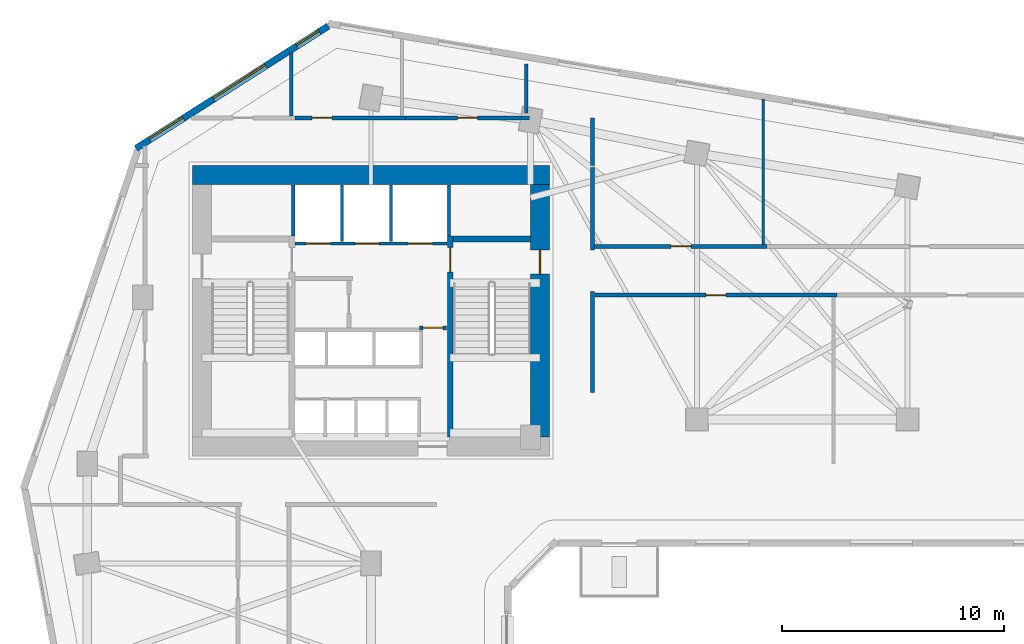
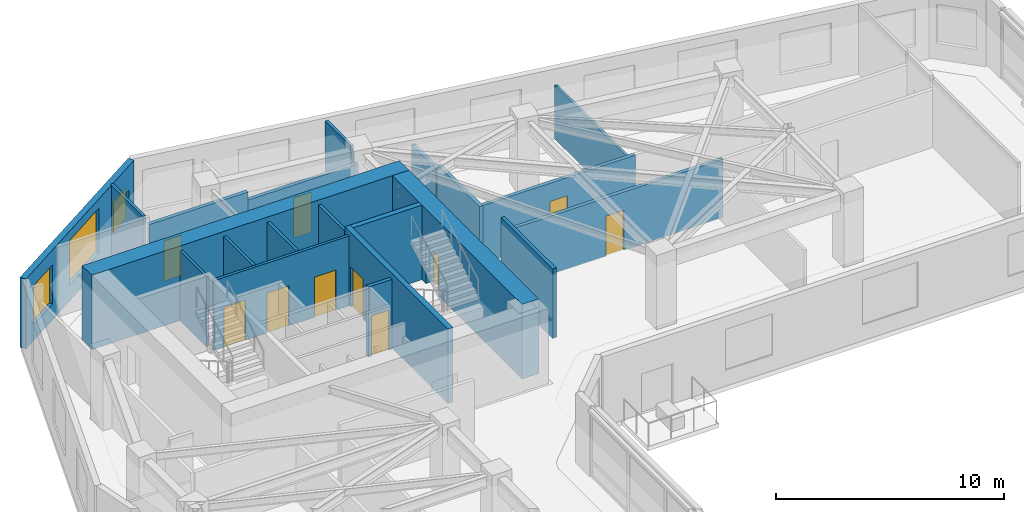
# One storey, part 8 of 12: 21 walls, 10 doors, 3 windows, 13 openings.
"""IFC4 building model written with IfcOpenShell, lengths in metres."""

import ifcopenshell
import ifcopenshell.guid

model = None  # the IFC model being written
_history = None  # IfcOwnerHistory: only IFC2X3 demands one
_inside = {}  # id of a spatial element -> (the spatial element, [elements in it])
_under = {}  # id of a project, library or spatial element -> (it, [spatial elements below it])
_declared = {}  # id of a project -> (the project, [libraries it declares])
_typed = {}  # id of a type object -> (the type object, [elements of that type])
_made_of = {}  # id of a material, layer set ... -> (it, [elements and type objects made of it])


def new_model(schema):
    """Start an empty IFC model of exactly this schema.

    Asked for "IFC4X3", IfcOpenShell would pick the latest addendum, in which some entities
    have other attributes; the version numbers below select the first issue.
    IFC2X3 requires an IfcOwnerHistory on every rooted entity: one is made here for all.
    """
    global model, _history
    if schema == "IFC4X3":
        model = ifcopenshell.file(schema_version=(4, 3, 0, 0))
    else:
        model = ifcopenshell.file(schema=schema)
    _inside.clear()
    _under.clear()
    _declared.clear()
    _typed.clear()
    _made_of.clear()
    _history = None
    if model.schema == "IFC2X3":
        org = make("IfcOrganization", Name="unknown")
        user = make(
            "IfcPersonAndOrganization",
            ThePerson=make("IfcPerson", FamilyName="unknown"),
            TheOrganization=org,
        )
        app = make(
            "IfcApplication",
            ApplicationDeveloper=org,
            Version="unknown",
            ApplicationFullName="unknown",
            ApplicationIdentifier="unknown",
        )
        _history = make(
            "IfcOwnerHistory",
            OwningUser=user,
            OwningApplication=app,
            ChangeAction="ADDED",
            CreationDate=0,
        )
    return model


def make(cls, **values):
    """One entity of the class cls with the attributes given. An attribute that is None is left unset."""
    return model.create_entity(
        cls, **{name: value for name, value in values.items() if value is not None}
    )


def rooted(cls, **values):
    """An entity with a GlobalId (a new one), such as an element, a storey or a relation."""
    return make(cls, GlobalId=ifcopenshell.guid.new(), OwnerHistory=_history, **values)


def si_unit(unit_type, name, prefix=None):
    """IfcSIUnit, for example si_unit("LENGTHUNIT", "METRE", prefix="MILLI")."""
    return make("IfcSIUnit", UnitType=unit_type, Prefix=prefix, Name=name)


def assignment(units):
    """IfcUnitAssignment: the units of a project."""
    return None if units is None else make("IfcUnitAssignment", Units=units)


def point(xyz):
    """IfcCartesianPoint."""
    return None if xyz is None else make("IfcCartesianPoint", Coordinates=xyz)


def direction(xyz):
    """IfcDirection."""
    return None if xyz is None else make("IfcDirection", DirectionRatios=xyz)


def frame(location, z_axis=None, x_axis=None):
    """IfcAxis2Placement3D, a coordinate frame: its origin and axes. An axis left out is left unset."""
    return make(
        "IfcAxis2Placement3D",
        Location=point(location),
        Axis=direction(z_axis),
        RefDirection=direction(x_axis),
    )


def frame_2d(location, x_axis=None):
    """IfcAxis2Placement2D, a coordinate frame in the plane: its origin and x axis."""
    return make(
        "IfcAxis2Placement2D", Location=point(location), RefDirection=direction(x_axis)
    )


def origin():
    """The frame at (0, 0, 0) with its axes left unset."""
    return frame((0.0, 0.0, 0.0))


def place(relative_to, where):
    """IfcLocalPlacement: puts the frame where relative to a parent placement (None: the world)."""
    return make(
        "IfcLocalPlacement", PlacementRelTo=relative_to, RelativePlacement=where
    )


def context(
    kind, dimensions, precision=None, world=None, true_north=None, identifier=None
):
    """IfcGeometricRepresentationContext, for example the 3D "Model" context."""
    return make(
        "IfcGeometricRepresentationContext",
        ContextIdentifier=identifier,
        ContextType=kind,
        CoordinateSpaceDimension=dimensions,
        Precision=precision,
        WorldCoordinateSystem=world,
        TrueNorth=true_north,
    )


def subcontext(parent, identifier, kind, view, scale=None):
    """IfcGeometricRepresentationSubContext, for example "Body" below "Model"."""
    return make(
        "IfcGeometricRepresentationSubContext",
        ContextIdentifier=identifier,
        ContextType=kind,
        ParentContext=parent,
        TargetScale=scale,
        TargetView=view,
    )


def project(units=None, contexts=None):
    """IfcProject with its units and contexts."""
    return rooted(
        "IfcProject",
        Name="project",
        RepresentationContexts=contexts,
        UnitsInContext=assignment(units),
    )


def spatial(cls, under=None, at=None, **own):
    """A site, building, storey or space (cls), placed at a placement, below another one or the project."""
    s = rooted(cls, ObjectPlacement=at, **own)
    if under is not None:
        _under.setdefault(under.id(), (under, []))[1].append(s)
    return s


def profile(cls, at=None, kind="AREA", **sizes):
    """A parametric profile (cls). Its sizes go by their IFC names, for example OverallWidth=200.0."""
    return make(cls, ProfileType=kind, Position=at, **sizes)


def rectangle(**sizes):
    """IfcRectangleProfileDef."""
    return profile("IfcRectangleProfileDef", **sizes)


def extrude(swept, where, along, depth):
    """IfcExtrudedAreaSolid: the profile swept, set in the frame where, extruded along a direction by depth."""
    return make(
        "IfcExtrudedAreaSolid",
        SweptArea=swept,
        Position=where,
        ExtrudedDirection=direction(along),
        Depth=depth,
    )


def shape(context_of_items, identifier, shape_type, items):
    """IfcShapeRepresentation: the items that make up one representation, for example the "Body"."""
    return make(
        "IfcShapeRepresentation",
        ContextOfItems=context_of_items,
        RepresentationIdentifier=identifier,
        RepresentationType=shape_type,
        Items=items,
    )


def source(mapping_origin, context_of_items, identifier, shape_type, items):
    """IfcRepresentationMap: a shape defined once, which mapped items show again and again."""
    return make(
        "IfcRepresentationMap",
        MappingOrigin=mapping_origin,
        MappedRepresentation=shape(context_of_items, identifier, shape_type, items),
    )


def transform(
    local_origin,
    x_axis=None,
    y_axis=None,
    z_axis=None,
    scale=None,
    scale2=None,
    scale3=None,
    uniform=True,
):
    """IfcCartesianTransformationOperator3D, or its non-uniform kind. x_axis, y_axis, z_axis: its Axis1, 2, 3."""
    if uniform:
        return make(
            "IfcCartesianTransformationOperator3D",
            Axis1=direction(x_axis),
            Axis2=direction(y_axis),
            LocalOrigin=point(local_origin),
            Scale=scale,
            Axis3=direction(z_axis),
        )
    return make(
        "IfcCartesianTransformationOperator3DnonUniform",
        Axis1=direction(x_axis),
        Axis2=direction(y_axis),
        LocalOrigin=point(local_origin),
        Scale=scale,
        Axis3=direction(z_axis),
        Scale2=scale2,
        Scale3=scale3,
    )


def mapped(mapping_source, mapping_target):
    """IfcMappedItem: shows the shape of a source again, moved by a transform."""
    return make(
        "IfcMappedItem", MappingSource=mapping_source, MappingTarget=mapping_target
    )


def material(Name=None, Category=None):
    """IfcMaterial."""
    return make("IfcMaterial", Name=Name, Category=Category)


def layer(
    of_material, thickness, ventilated=None, Name=None, Category=None, Priority=None
):
    """IfcMaterialLayer: one layer of a wall or slab, of a material (None: an air gap)."""
    return make(
        "IfcMaterialLayer",
        Material=of_material,
        LayerThickness=thickness,
        IsVentilated=ventilated,
        Name=Name,
        Category=Category,
        Priority=Priority,
    )


def layer_set(layers, Name=None):
    """IfcMaterialLayerSet."""
    return make("IfcMaterialLayerSet", MaterialLayers=layers, LayerSetName=Name)


def made_of(thing, what):
    """Note that an element or type object is made of a material, layer set ...; save() writes the relation."""
    if what is not None:
        _made_of.setdefault(what.id(), (what, []))[1].append(thing)
    return thing


def type_object(cls, material=None, **own):
    """A type object (cls), such as IfcWallType, which elements share."""
    return made_of(rooted(cls, **own), material)


def element(
    cls,
    number,
    at=None,
    inside=None,
    cuts=None,
    type_object=None,
    material=None,
    context=None,
    identifier="Body",
    shape_type=None,
    held_by="IfcProductDefinitionShape",
    body=None,
    shapes=None,
    **own,
):
    """One element of the class cls, such as IfcWall. Its Tag is "e" and its number.

    at: its placement. inside: the storey or other place that contains it. cuts: it is an
    opening in that element (IfcRelVoidsElement). A single representation is given by context,
    identifier, shape_type and body (its items); several are given by shapes. held_by: the class
    of the entity that holds the representations. save() writes the other relations.
    """
    e = rooted(cls, Tag="e%d" % number, ObjectPlacement=at, **own)
    if body is not None:
        shapes = [shape(context, identifier, shape_type, body)]
    if shapes is not None:
        e.Representation = make(held_by, Representations=shapes)
    if inside is not None:
        _inside.setdefault(inside.id(), (inside, []))[1].append(e)
    if cuts is not None:
        rooted(
            "IfcRelVoidsElement", RelatingBuildingElement=cuts, RelatedOpeningElement=e
        )
    if type_object is not None:
        _typed.setdefault(type_object.id(), (type_object, []))[1].append(e)
    return made_of(e, material)


def fill(opening, filler):
    """IfcRelFillsElement: the door or window that sits in an opening."""
    return rooted(
        "IfcRelFillsElement",
        RelatingOpeningElement=opening,
        RelatedBuildingElement=filler,
    )


def aggregate(whole, parts):
    """IfcRelAggregates: a whole, such as a stair, and the parts it consists of."""
    return rooted("IfcRelAggregates", RelatingObject=whole, RelatedObjects=parts)


def save(model, path):
    """Write the relations noted so far, then the file.

    IfcRelAggregates (storeys below a building ...), IfcRelContainedInSpatialStructure (elements
    in a storey), IfcRelDefinesByType, IfcRelAssociatesMaterial and IfcRelDeclares: one each for
    every whole, place, type object, material and project.
    """
    for whole, parts in _under.values():
        aggregate(whole, parts)
    for where, things in _inside.values():
        rooted(
            "IfcRelContainedInSpatialStructure",
            RelatedElements=things,
            RelatingStructure=where,
        )
    for kind, things in _typed.values():
        rooted("IfcRelDefinesByType", RelatedObjects=things, RelatingType=kind)
    for what, things in _made_of.values():
        rooted("IfcRelAssociatesMaterial", RelatedObjects=things, RelatingMaterial=what)
    for by, libraries in _declared.values():
        rooted("IfcRelDeclares", RelatingContext=by, RelatedDefinitions=libraries)
    model.write(path)


model = new_model("IFC4")

# Units and contexts
model_context = context("Model", 3, precision=1e-05, world=origin(), true_north=direction((0.0, 1.0)))
body_context = subcontext(model_context, "Body", "Model", "MODEL_VIEW")
ifc_project = project(units=[si_unit("LENGTHUNIT", "METRE"), si_unit("AREAUNIT", "SQUARE_METRE"), si_unit("VOLUMEUNIT", "CUBIC_METRE"), si_unit("PLANEANGLEUNIT", "RADIAN"), si_unit("MASSUNIT", "GRAM", prefix="KILO")], contexts=[model_context])

# Site, building, storey
site_placement = place(None, origin())
site = spatial("IfcSite", under=ifc_project, at=site_placement, CompositionType="ELEMENT")
building_placement = place(site_placement, origin())
building = spatial("IfcBuilding", under=site, at=building_placement, Name="Calvemar Wedge Station Tower", CompositionType="ELEMENT")
storey_placement = place(building_placement, frame((0.0, 0.0, 39.0)))
storey = spatial("IfcBuildingStorey", under=building, at=storey_placement, Name="L09", CompositionType="ELEMENT", Elevation=39.0)

# Wall, opening, door
ifc_material_1 = material(Name="Concrete C50", Category="concrete")
ifc_layer_1 = layer(ifc_material_1, 0.260009765625)
ifc_layer_set_1 = layer_set([ifc_layer_1], Name="Concrete C50")
wall_type_1 = type_object("IfcWallType", Name="SW-CORE-260", PredefinedType="SHEAR", material=ifc_layer_set_1)
wall_1_placement = place(storey_placement, frame((27.3701171875, 34.199951171875, 0.0), z_axis=(0.0, 0.0, 1.0), x_axis=(0.0, 1.0, 0.0)))
wall_1 = element("IfcWall", 1, at=wall_1_placement, inside=storey, type_object=wall_type_1, Name="Storey L09 Core Shear Wall SPINE-E", PredefinedType="SHEAR", context=body_context, shape_type="SweptSolid", body=[
    extrude(rectangle(XDim=9.06005859375, YDim=0.260009765625, at=frame_2d((4.530029296875, 0.0))), origin(), (0.0, 0.0, 1.0), 4.0),
])
shared_shape_1 = source(origin(), body_context, "Body", "SweptSolid", [
    extrude(rectangle(XDim=1.10009765625, YDim=2.14990234375, at=frame_2d((0.550048828125, 1.074951171875))), frame((0.0, 0.14013671875, 0.0), z_axis=(0.0, -1.0, 0.0), x_axis=(1.0, 0.0, 0.0)), (0.0, 0.0, 1.0), 0.280029296875),
])
opening_1_placement = place(wall_1_placement, frame((7.449951171875, 0.0, 0.0)))
opening_1 = element("IfcOpeningElement", 2, at=opening_1_placement, cuts=wall_1, Name="Opening FD-90", PredefinedType="OPENING", context=body_context, shape_type="MappedRepresentation", body=[
    mapped(shared_shape_1, transform((0.0, 0.0, 0.0), scale=1.0)),
])
ifc_material_2 = material(Name="Galvanized fire-rated steel door leaf P-90", Category="steel")
door_type_1 = type_object("IfcDoorType", Name="DR-FD90-1100", OperationType="NOTDEFINED", PredefinedType="DOOR", material=ifc_material_2)
shared_shape_2 = source(origin(), body_context, "Body", "SweptSolid", [
    extrude(rectangle(XDim=1.10009765625, YDim=2.14990234375, at=frame_2d((0.550048828125, 1.074951171875))), frame((0.0, 0.02490234375, 0.0), z_axis=(0.0, -1.0, 0.0), x_axis=(1.0, 0.0, 0.0)), (0.0, 0.0, 1.0), 0.050048828125),
])
door_1_placement = place(opening_1_placement, origin())
door_1 = element("IfcDoor", 3, at=door_1_placement, inside=storey, type_object=door_type_1, Name="L09 FF Lobby to Stair ST-C2 Door", OperationType="SINGLE_SWING_RIGHT", OverallHeight=2.14990234375, OverallWidth=1.10009765625, PredefinedType="DOOR", context=body_context, shape_type="MappedRepresentation", body=[
    mapped(shared_shape_2, transform((0.0, 0.0, 0.0), scale=1.0)),
])
fill(opening_1, door_1)

# Walls
wall_2_placement = place(storey_placement, frame((27.5, 43.1298828125, 0.0), z_axis=(0.0, 0.0, 1.0), x_axis=(1.0, 0.0, 0.0)))
element("IfcWall", 4, at=wall_2_placement, inside=storey, type_object=wall_type_1, Name="Storey L09 Core Shear Wall STC2-N", PredefinedType="SHEAR", context=body_context, shape_type="SweptSolid", body=[
    extrude(rectangle(XDim=3.5, YDim=0.260009765625, at=frame_2d((1.75, 0.0))), origin(), (0.0, 0.0, 1.0), 4.0),
])
ifc_material_3 = material(Name="Concrete C80", Category="concrete")
ifc_layer_2 = layer(ifc_material_3, 0.85009765625)
ifc_layer_set_2 = layer_set([ifc_layer_2], Name="Concrete C80")
wall_type_2 = type_object("IfcWallType", Name="SW-CORE-850", PredefinedType="SHEAR", material=ifc_layer_set_2)
wall_3_placement = place(storey_placement, frame((15.75, 46.02490234375, 0.0), z_axis=(0.0, 0.0, 1.0), x_axis=(1.0, 0.0, 0.0)))
element("IfcWall", 5, at=wall_3_placement, inside=storey, type_object=wall_type_2, Name="Storey L09 Core Shear Wall N", PredefinedType="SHEAR", context=body_context, shape_type="SweptSolid", body=[
    extrude(rectangle(XDim=16.10009765625, YDim=0.85009765625, at=frame_2d((8.050048828125, 0.0))), origin(), (0.0, 0.0, 1.0), 4.0),
])

# Wall, opening, door
wall_4_placement = place(storey_placement, frame((31.425048828125, 34.199951171875, 0.0), z_axis=(0.0, 0.0, 1.0), x_axis=(0.0, 1.0, 0.0)))
wall_4 = element("IfcWall", 6, at=wall_4_placement, inside=storey, type_object=wall_type_2, Name="Storey L09 Core Shear Wall E", PredefinedType="SHEAR", context=body_context, shape_type="SweptSolid", body=[
    extrude(rectangle(XDim=11.400146484375, YDim=0.85009765625, at=frame_2d((5.7001953125, 0.0))), origin(), (0.0, 0.0, 1.0), 4.0),
])
shared_shape_3 = source(origin(), body_context, "Body", "SweptSolid", [
    extrude(rectangle(XDim=1.10009765625, YDim=2.14990234375, at=frame_2d((0.550048828125, 1.074951171875))), frame((0.0, 0.43505859375, 0.0), z_axis=(0.0, -1.0, 0.0), x_axis=(1.0, 0.0, 0.0)), (0.0, 0.0, 1.0), 0.8701171875),
])
opening_2_placement = place(wall_4_placement, frame((7.35009765625, 0.0, 0.0)))
opening_2 = element("IfcOpeningElement", 7, at=opening_2_placement, cuts=wall_4, Name="Opening FD-90", PredefinedType="OPENING", context=body_context, shape_type="MappedRepresentation", body=[
    mapped(shared_shape_3, transform((0.0, 0.0, 0.0), scale=1.0)),
])
door_2_placement = place(opening_2_placement, origin())
door_2 = element("IfcDoor", 8, at=door_2_placement, inside=storey, type_object=door_type_1, Name="L09 East Corridor to Exit Stair ST-C2 Door", OperationType="SINGLE_SWING_RIGHT", OverallHeight=2.14990234375, OverallWidth=1.10009765625, PredefinedType="DOOR", context=body_context, shape_type="MappedRepresentation", body=[
    mapped(shared_shape_2, transform((0.0, 0.0, 0.0), scale=1.0)),
])
fill(opening_2, door_2)

ifc_material_4 = material(Name="Double-stud fire-rated corridor partition")
ifc_layer_3 = layer(ifc_material_4, 0.179931640625)
ifc_layer_set_3 = layer_set([ifc_layer_3], Name="Double-stud fire-rated corridor partition")
wall_type_3 = type_object("IfcWallType", Name="W-CORR-180", PredefinedType="PARTITIONING", material=ifc_layer_set_3)
wall_5_placement = place(storey_placement, frame((27.199951171875, 39.1298828125, 0.0), z_axis=(0.0, 0.0, 1.0), x_axis=(-1.0, 0.0, 0.0)))
wall_5 = element("IfcWall", 9, at=wall_5_placement, inside=storey, type_object=wall_type_3, Name="Storey L09 Interior Partition WL-L09-003", PredefinedType="PARTITIONING", context=body_context, shape_type="SweptSolid", body=[
    extrude(rectangle(XDim=1.2099609375, YDim=0.179931640625, at=frame_2d((0.60498046875, 0.0))), origin(), (0.0, 0.0, 1.0), 3.75),
])
shared_shape_4 = source(origin(), body_context, "Body", "SweptSolid", [
    extrude(rectangle(XDim=0.89990234375, YDim=2.14990234375, at=frame_2d((0.449951171875, 1.074951171875))), frame((0.0, 0.10009765625, 0.0), z_axis=(0.0, -1.0, 0.0), x_axis=(1.0, 0.0, 0.0)), (0.0, 0.0, 1.0), 0.199951171875),
])
opening_3_placement = place(wall_5_placement, frame((0.155029296875, 0.0, 0.0)))
opening_3 = element("IfcOpeningElement", 10, at=opening_3_placement, cuts=wall_5, Name="Opening FD-60", PredefinedType="OPENING", context=body_context, shape_type="MappedRepresentation", body=[
    mapped(shared_shape_4, transform((0.0, 0.0, 0.0), scale=1.0)),
])
ifc_material_5 = material(Name="Fire-rated acoustic timber-core entrance door EI 60", Category="wood")
door_type_2 = type_object("IfcDoorType", Name="DR-FD60-900", OperationType="NOTDEFINED", PredefinedType="DOOR", material=ifc_material_5)
shared_shape_5 = source(origin(), body_context, "Body", "SweptSolid", [
    extrude(rectangle(XDim=0.89990234375, YDim=2.14990234375, at=frame_2d((0.449951171875, 1.074951171875))), frame((0.0, 0.02490234375, 0.0), z_axis=(0.0, -1.0, 0.0), x_axis=(1.0, 0.0, 0.0)), (0.0, 0.0, 1.0), 0.050048828125),
])
door_3_placement = place(opening_3_placement, origin())
door_3 = element("IfcDoor", 11, at=door_3_placement, inside=storey, type_object=door_type_2, Name="L09 Core Service Lobby Door", OperationType="SINGLE_SWING_RIGHT", OverallHeight=2.14990234375, OverallWidth=0.89990234375, PredefinedType="DOOR", context=body_context, shape_type="MappedRepresentation", body=[
    mapped(shared_shape_5, transform((0.0, 0.0, 0.0), scale=1.0)),
])
fill(opening_3, door_3)

wall_6_placement = place(storey_placement, frame((20.362060546875, 48.60009765625, 0.0), z_axis=(0.0, 0.0, 1.0), x_axis=(1.0, 0.0, 0.0)))
wall_6 = element("IfcWall", 12, at=wall_6_placement, inside=storey, type_object=wall_type_3, Name="Storey L09 Interior Partition WL-L09-011", PredefinedType="PARTITIONING", context=body_context, shape_type="SweptSolid", body=[
    extrude(rectangle(XDim=4.998046875, YDim=0.179931640625, at=frame_2d((2.4990234375, 0.0))), origin(), (0.0, 0.0, 1.0), 3.3349609375),
])
opening_4_placement = place(wall_6_placement, frame((0.76806640625, 0.0, 0.0)))
opening_4 = element("IfcOpeningElement", 13, at=opening_4_placement, cuts=wall_6, Name="Opening D-01", PredefinedType="OPENING", context=body_context, shape_type="MappedRepresentation", body=[
    mapped(shared_shape_4, transform((0.0, 0.0, 0.0), scale=1.0)),
])
ifc_material_6 = material(Name="Architectural hardwood acoustic swing door", Category="wood")
door_type_3 = type_object("IfcDoorType", Name="DR-INT-900", OperationType="NOTDEFINED", PredefinedType="DOOR", material=ifc_material_6)
shared_shape_6 = source(origin(), body_context, "Body", "SweptSolid", [
    extrude(rectangle(XDim=0.89990234375, YDim=2.14990234375, at=frame_2d((0.449951171875, 1.074951171875))), frame((0.0, 0.02490234375, 0.0), z_axis=(0.0, -1.0, 0.0), x_axis=(1.0, 0.0, 0.0)), (0.0, 0.0, 1.0), 0.050048828125),
])
door_4_placement = place(opening_4_placement, origin())
door_4 = element("IfcDoor", 14, at=door_4_placement, inside=storey, type_object=door_type_3, Name="L09 Co-Working Studio Door", OperationType="SINGLE_SWING_LEFT", OverallHeight=2.14990234375, OverallWidth=0.89990234375, PredefinedType="DOOR", context=body_context, shape_type="MappedRepresentation", body=[
    mapped(shared_shape_6, transform((0.0, 0.0, 0.0), scale=1.0)),
])
fill(opening_4, door_4)

wall_7_placement = place(storey_placement, frame((25.362060546875, 48.60009765625, 0.0), z_axis=(0.0, 0.0, 1.0), x_axis=(1.0, 0.0, 0.0)))
wall_7 = element("IfcWall", 15, at=wall_7_placement, inside=storey, type_object=wall_type_3, Name="Storey L09 Interior Partition WL-L09-012", PredefinedType="PARTITIONING", context=body_context, shape_type="SweptSolid", body=[
    extrude(rectangle(XDim=5.597900390625, YDim=0.179931640625, at=frame_2d((2.798828125, 0.0))), origin(), (0.0, 0.0, 1.0), 2.89208984375),
])
opening_5_placement = place(wall_7_placement, frame((2.34912109375, 0.0, 0.0)))
opening_5 = element("IfcOpeningElement", 16, at=opening_5_placement, cuts=wall_7, Name="Opening D-01", PredefinedType="OPENING", context=body_context, shape_type="MappedRepresentation", body=[
    mapped(shared_shape_4, transform((0.0, 0.0, 0.0), scale=1.0)),
])
door_5_placement = place(opening_5_placement, origin())
door_5 = element("IfcDoor", 17, at=door_5_placement, inside=storey, type_object=door_type_3, Name="L09 Female Toilet Door", OperationType="SINGLE_SWING_RIGHT", OverallHeight=2.14990234375, OverallWidth=0.89990234375, PredefinedType="DOOR", context=body_context, shape_type="MappedRepresentation", body=[
    mapped(shared_shape_6, transform((0.0, 0.0, 0.0), scale=1.0)),
])
fill(opening_5, door_5)

# Walls
wall_8_placement = place(storey_placement, frame((33.800048828125, 48.60009765625, 0.0), z_axis=(0.0, 0.0, 1.0), x_axis=(0.0, -1.0, 0.0)))
element("IfcWall", 18, at=wall_8_placement, inside=storey, type_object=wall_type_3, Name="Storey L09 Interior Partition WL-L09-013", PredefinedType="PARTITIONING", context=body_context, shape_type="SweptSolid", body=[
    extrude(rectangle(XDim=2.150146484375, YDim=0.179931640625, at=frame_2d((1.0751953125, 0.0))), origin(), (0.0, 0.0, 1.0), 2.89208984375),
])
wall_9_placement = place(storey_placement, frame((33.800048828125, 40.760009765625, 0.0), z_axis=(0.0, 0.0, 1.0), x_axis=(0.0, -1.0, 0.0)))
element("IfcWall", 19, at=wall_9_placement, inside=storey, type_object=wall_type_3, Name="Storey L09 Interior Partition WL-L09-014", PredefinedType="PARTITIONING", context=body_context, shape_type="SweptSolid", body=[
    extrude(rectangle(XDim=4.56005859375, YDim=0.179931640625, at=frame_2d((2.280029296875, 0.0))), origin(), (0.0, 0.0, 1.0), 3.75),
])
wall_10_placement = place(storey_placement, frame((33.800048828125, 46.35595703125, 0.0), z_axis=(0.0, 0.0, 1.0), x_axis=(0.0, -1.0, 0.0)))
element("IfcWall", 20, at=wall_10_placement, inside=storey, type_object=wall_type_3, Name="Storey L09 Interior Partition WL-L09-015", PredefinedType="PARTITIONING", context=body_context, shape_type="SweptSolid", body=[
    extrude(rectangle(XDim=3.716064453125, YDim=0.179931640625, at=frame_2d((1.85791015625, 0.0))), origin(), (0.0, 0.0, 1.0), 3.18798828125),
])

# Wall, opening, door
wall_11_placement = place(storey_placement, frame((44.826904296875, 40.60009765625, 0.0), z_axis=(0.0, 0.0, 1.0), x_axis=(-1.0, 0.0, 0.0)))
wall_11 = element("IfcWall", 21, at=wall_11_placement, inside=storey, type_object=wall_type_3, Name="Storey L09 Interior Partition WL-L09-019", PredefinedType="PARTITIONING", context=body_context, shape_type="SweptSolid", body=[
    extrude(rectangle(XDim=10.932861328125, YDim=0.179931640625, at=frame_2d((5.46630859375, 0.0))), origin(), (0.0, 0.0, 1.0), 3.125),
])
opening_6_placement = place(wall_11_placement, frame((5.0166015625, 0.0, 0.0)))
opening_6 = element("IfcOpeningElement", 22, at=opening_6_placement, cuts=wall_11, Name="Opening D-01", PredefinedType="OPENING", context=body_context, shape_type="MappedRepresentation", body=[
    mapped(shared_shape_4, transform((0.0, 0.0, 0.0), scale=1.0)),
])
door_6_placement = place(opening_6_placement, origin())
door_6 = element("IfcDoor", 23, at=door_6_placement, inside=storey, type_object=door_type_3, Name="L09 Co-Working Studio Door", OperationType="SINGLE_SWING_LEFT", OverallHeight=2.14990234375, OverallWidth=0.89990234375, PredefinedType="DOOR", context=body_context, shape_type="MappedRepresentation", body=[
    mapped(shared_shape_6, transform((0.0, 0.0, 0.0), scale=1.0)),
])
fill(opening_6, door_6)

wall_12_placement = place(storey_placement, frame((33.89404296875, 42.800048828125, 0.0), z_axis=(0.0, 0.0, 1.0), x_axis=(1.0, 0.0, 0.0)))
wall_12 = element("IfcWall", 24, at=wall_12_placement, inside=storey, type_object=wall_type_3, Name="Storey L09 Interior Partition WL-L09-021", PredefinedType="PARTITIONING", context=body_context, shape_type="SweptSolid", body=[
    extrude(rectangle(XDim=7.765869140625, YDim=0.179931640625, at=frame_2d((3.8828125, 0.0))), origin(), (0.0, 0.0, 1.0), 3.125),
])
opening_7_placement = place(wall_12_placement, frame((3.43310546875, 0.0, 0.0)))
opening_7 = element("IfcOpeningElement", 25, at=opening_7_placement, cuts=wall_12, Name="Opening D-01", PredefinedType="OPENING", context=body_context, shape_type="MappedRepresentation", body=[
    mapped(shared_shape_4, transform((0.0, 0.0, 0.0), scale=1.0)),
])
door_7_placement = place(opening_7_placement, origin())
door_7 = element("IfcDoor", 26, at=door_7_placement, inside=storey, type_object=door_type_3, Name="L09 Meeting Room Door", OperationType="SINGLE_SWING_LEFT", OverallHeight=2.14990234375, OverallWidth=0.89990234375, PredefinedType="DOOR", context=body_context, shape_type="MappedRepresentation", body=[
    mapped(shared_shape_6, transform((0.0, 0.0, 0.0), scale=1.0)),
])
fill(opening_7, door_7)

# Wall, openings, windows
ifc_material_7 = material(Name="Precast concrete C45", Category="concrete")
ifc_layer_4 = layer(ifc_material_7, 0.300048828125)
ifc_layer_set_4 = layer_set([ifc_layer_4], Name="Precast concrete C45")
wall_type_4 = type_object("IfcWallType", Name="W-EXT-GFRC-300", PredefinedType="SOLIDWALL", material=ifc_layer_set_4)
wall_13_placement = place(storey_placement, frame((21.875, 52.742919921875, 0.0), z_axis=(0.0, 0.0, 1.0), x_axis=(-0.843647802826, -0.536896996441, 0.0)))
wall_13 = element("IfcWall", 27, at=wall_13_placement, inside=storey, type_object=wall_type_4, Name="Storey L09 Bronze GFRC Exterior Wall 11", PredefinedType="SOLIDWALL", context=body_context, shape_type="SweptSolid", body=[
    extrude(rectangle(XDim=10.284423828125, YDim=0.300048828125, at=frame_2d((5.14208984375, 0.0))), origin(), (0.0, 0.0, 1.0), 3.75),
])
shared_shape_7 = source(origin(), body_context, "Body", "SweptSolid", [
    extrude(rectangle(XDim=1.199951171875, YDim=1.60009765625, at=frame_2d((0.60009765625, 0.800048828125))), frame((0.0, 0.16015625, 0.0), z_axis=(0.0, -1.0, 0.0), x_axis=(1.0, 0.0, 0.0)), (0.0, 0.0, 1.0), 0.320068359375),
])
opening_8_placement = place(wall_13_placement, frame((0.47900390625, 0.0, 0.85009765625)))
opening_8 = element("IfcOpeningElement", 28, at=opening_8_placement, cuts=wall_13, Name="Opening W5", PredefinedType="OPENING", context=body_context, shape_type="MappedRepresentation", body=[
    mapped(shared_shape_7, transform((0.0, 0.0, 0.0), scale=1.0)),
])
shared_shape_8 = source(origin(), body_context, "Body", "SweptSolid", [
    extrude(rectangle(XDim=2.800048828125, YDim=2.39990234375, at=frame_2d((1.39990234375, 1.199951171875))), frame((0.0, 0.16015625, 0.0), z_axis=(0.0, -1.0, 0.0), x_axis=(1.0, 0.0, 0.0)), (0.0, 0.0, 1.0), 0.320068359375),
])
opening_9_placement = place(wall_13_placement, frame((3.342041015625, 0.0, 0.85009765625)))
opening_9 = element("IfcOpeningElement", 29, at=opening_9_placement, cuts=wall_13, Name="Opening W6", PredefinedType="OPENING", context=body_context, shape_type="MappedRepresentation", body=[
    mapped(shared_shape_8, transform((0.0, 0.0, 0.0), scale=1.0)),
])
shared_shape_9 = source(origin(), body_context, "Body", "SweptSolid", [
    extrude(rectangle(XDim=1.800048828125, YDim=2.10009765625, at=frame_2d((0.89990234375, 1.050048828125))), frame((0.0, 0.16015625, 0.0), z_axis=(0.0, -1.0, 0.0), x_axis=(1.0, 0.0, 0.0)), (0.0, 0.0, 1.0), 0.320068359375),
])
opening_10_placement = place(wall_13_placement, frame((7.75390625, 0.0, 0.85009765625)))
opening_10 = element("IfcOpeningElement", 30, at=opening_10_placement, cuts=wall_13, Name="Opening W2", PredefinedType="OPENING", context=body_context, shape_type="MappedRepresentation", body=[
    mapped(shared_shape_9, transform((0.0, 0.0, 0.0), scale=1.0)),
])
ifc_material_8 = material(Name="Low-E laminated insulated glass", Category="glass")
window_type_1 = type_object("IfcWindowType", Name="WIN-EXT-2", PartitioningType="SINGLE_PANEL", PredefinedType="WINDOW", material=ifc_material_8)
shared_shape_10 = source(origin(), body_context, "Body", "SweptSolid", [
    extrude(rectangle(XDim=1.800048828125, YDim=2.10009765625, at=frame_2d((0.89990234375, 1.050048828125))), frame((0.0, -0.014892578125, 0.0), z_axis=(0.0, -1.0, 0.0), x_axis=(1.0, 0.0, 0.0)), (0.0, 0.0, 1.0), 0.06005859375),
])
window_1_placement = place(opening_10_placement, origin())
window_1 = element("IfcWindow", 31, at=window_1_placement, inside=storey, type_object=window_type_1, Name="Storey L09 Recessed Window 11.3", OverallHeight=2.10009765625, OverallWidth=1.800048828125, PartitioningType="SINGLE_PANEL", PredefinedType="WINDOW", context=body_context, shape_type="MappedRepresentation", body=[
    mapped(shared_shape_10, transform((0.0, 0.0, 0.0), scale=1.0)),
])
fill(opening_10, window_1)
window_type_2 = type_object("IfcWindowType", Name="WIN-EXT-6", PartitioningType="SINGLE_PANEL", PredefinedType="WINDOW", material=ifc_material_8)
shared_shape_11 = source(origin(), body_context, "Body", "SweptSolid", [
    extrude(rectangle(XDim=2.800048828125, YDim=2.39990234375, at=frame_2d((1.39990234375, 1.199951171875))), frame((0.0, -0.014892578125, 0.0), z_axis=(0.0, -1.0, 0.0), x_axis=(1.0, 0.0, 0.0)), (0.0, 0.0, 1.0), 0.06005859375),
])
window_2_placement = place(opening_9_placement, origin())
window_2 = element("IfcWindow", 32, at=window_2_placement, inside=storey, type_object=window_type_2, Name="Storey L09 Recessed Window 11.2", OverallHeight=2.39990234375, OverallWidth=2.800048828125, PartitioningType="SINGLE_PANEL", PredefinedType="WINDOW", context=body_context, shape_type="MappedRepresentation", body=[
    mapped(shared_shape_11, transform((0.0, 0.0, 0.0), scale=1.0)),
])
fill(opening_9, window_2)
window_type_3 = type_object("IfcWindowType", Name="WIN-EXT-5", PartitioningType="SINGLE_PANEL", PredefinedType="WINDOW", material=ifc_material_8)
shared_shape_12 = source(origin(), body_context, "Body", "SweptSolid", [
    extrude(rectangle(XDim=1.199951171875, YDim=1.60009765625, at=frame_2d((0.60009765625, 0.800048828125))), frame((0.0, -0.014892578125, 0.0), z_axis=(0.0, -1.0, 0.0), x_axis=(1.0, 0.0, 0.0)), (0.0, 0.0, 1.0), 0.06005859375),
])
window_3_placement = place(opening_8_placement, origin())
window_3 = element("IfcWindow", 33, at=window_3_placement, inside=storey, type_object=window_type_3, Name="Storey L09 Recessed Window 11.1", OverallHeight=1.60009765625, OverallWidth=1.199951171875, PartitioningType="SINGLE_PANEL", PredefinedType="WINDOW", context=body_context, shape_type="MappedRepresentation", body=[
    mapped(shared_shape_12, transform((0.0, 0.0, 0.0), scale=1.0)),
])
fill(opening_8, window_3)

# Wall, openings, doors
ifc_material_9 = material(Name="Reinforced concrete blockwork lift shaft wall", Category="masonry")
ifc_layer_5 = layer(ifc_material_9, 0.139892578125)
ifc_layer_set_5 = layer_set([ifc_layer_5], Name="Reinforced concrete blockwork lift shaft wall")
wall_type_5 = type_object("IfcWallType", Name="W-LIFT-160", PredefinedType="SOLIDWALL", material=ifc_layer_set_5)
wall_14_placement = place(storey_placement, frame((20.3701171875, 42.929931640625, 0.0), z_axis=(0.0, 0.0, 1.0), x_axis=(1.0, 0.0, 0.0)))
wall_14 = element("IfcWall", 34, at=wall_14_placement, inside=storey, type_object=wall_type_5, Name="Storey L09 Firefighting and Service Lift Shaft Front Wall", PredefinedType="SOLIDWALL", context=body_context, shape_type="SweptSolid", body=[
    extrude(rectangle(XDim=6.85986328125, YDim=0.139892578125, at=frame_2d((3.429931640625, 0.0))), origin(), (0.0, 0.0, 1.0), 3.75),
])
shared_shape_13 = source(origin(), body_context, "Body", "SweptSolid", [
    extrude(rectangle(XDim=1.10009765625, YDim=2.14990234375, at=frame_2d((0.550048828125, 1.074951171875))), frame((0.0, 0.080078125, 0.0), z_axis=(0.0, -1.0, 0.0), x_axis=(1.0, 0.0, 0.0)), (0.0, 0.0, 1.0), 0.159912109375),
])
opening_11_placement = place(wall_14_placement, frame((0.5, 0.0, 0.0)))
opening_11 = element("IfcOpeningElement", 35, at=opening_11_placement, cuts=wall_14, Name="Opening LD-FF", PredefinedType="OPENING", context=body_context, shape_type="MappedRepresentation", body=[
    mapped(shared_shape_13, transform((0.0, 0.0, 0.0), scale=1.0)),
])
opening_12_placement = place(wall_14_placement, frame((2.699951171875, 0.0, 0.0)))
opening_12 = element("IfcOpeningElement", 36, at=opening_12_placement, cuts=wall_14, Name="Opening LD-FF", PredefinedType="OPENING", context=body_context, shape_type="MappedRepresentation", body=[
    mapped(shared_shape_13, transform((0.0, 0.0, 0.0), scale=1.0)),
])
opening_13_placement = place(wall_14_placement, frame((5.10009765625, 0.0, 0.0)))
opening_13 = element("IfcOpeningElement", 37, at=opening_13_placement, cuts=wall_14, Name="Opening LD-STN", PredefinedType="OPENING", context=body_context, shape_type="MappedRepresentation", body=[
    mapped(shared_shape_13, transform((0.0, 0.0, 0.0), scale=1.0)),
])
ifc_material_10 = material(Name="Stainless steel firefighting lift sliding landing door", Category="steel")
door_type_4 = type_object("IfcDoorType", Name="DR-LD-FF-1100", OperationType="SLIDING_TO_LEFT", PredefinedType="DOOR", material=ifc_material_10)
shared_shape_14 = source(origin(), body_context, "Body", "SweptSolid", [
    extrude(rectangle(XDim=1.10009765625, YDim=2.14990234375, at=frame_2d((0.550048828125, 1.074951171875))), frame((0.0, 0.02490234375, 0.0), z_axis=(0.0, -1.0, 0.0), x_axis=(1.0, 0.0, 0.0)), (0.0, 0.0, 1.0), 0.050048828125),
])
door_8_placement = place(opening_11_placement, origin())
door_8 = element("IfcDoor", 38, at=door_8_placement, inside=storey, type_object=door_type_4, Name="L09 Lift FF-01 Sliding Landing Door", OperationType="SLIDING_TO_LEFT", OverallHeight=2.14990234375, OverallWidth=1.10009765625, PredefinedType="DOOR", context=body_context, shape_type="MappedRepresentation", body=[
    mapped(shared_shape_14, transform((0.0, 0.0, 0.0), scale=1.0)),
])
fill(opening_11, door_8)
door_9_placement = place(opening_12_placement, origin())
door_9 = element("IfcDoor", 39, at=door_9_placement, inside=storey, type_object=door_type_4, Name="L09 Lift FF-02 Sliding Landing Door", OperationType="SLIDING_TO_RIGHT", OverallHeight=2.14990234375, OverallWidth=1.10009765625, PredefinedType="DOOR", context=body_context, shape_type="MappedRepresentation", body=[
    mapped(shared_shape_14, transform((0.0, 0.0, 0.0), scale=1.0)),
])
fill(opening_12, door_9)
ifc_material_11 = material(Name="Stainless steel transit lift sliding landing door", Category="steel")
door_type_5 = type_object("IfcDoorType", Name="DR-LD-PAX-1100", OperationType="SLIDING_TO_LEFT", PredefinedType="DOOR", material=ifc_material_11)
shared_shape_15 = source(origin(), body_context, "Body", "SweptSolid", [
    extrude(rectangle(XDim=1.10009765625, YDim=2.14990234375, at=frame_2d((0.550048828125, 1.074951171875))), frame((0.0, 0.02490234375, 0.0), z_axis=(0.0, -1.0, 0.0), x_axis=(1.0, 0.0, 0.0)), (0.0, 0.0, 1.0), 0.050048828125),
])
door_10_placement = place(opening_13_placement, origin())
door_10 = element("IfcDoor", 40, at=door_10_placement, inside=storey, type_object=door_type_5, Name="L09 Lift SV-01 Sliding Landing Door", OperationType="SLIDING_TO_LEFT", OverallHeight=2.14990234375, OverallWidth=1.10009765625, PredefinedType="DOOR", context=body_context, shape_type="MappedRepresentation", body=[
    mapped(shared_shape_15, transform((0.0, 0.0, 0.0), scale=1.0)),
])
fill(opening_13, door_10)

# Walls
for number, where, z_axis, x_axis, name in (
    (41, (20.2900390625, 43.280029296875, 0.0), (0.0, 0.0, 1.0), (0.0, 1.0, 0.0), "Storey L09 Firefighting Lift Shaft Enclosure Wall W"),
    (42, (27.31005859375, 43.280029296875, 0.0), (0.0, 0.0, 1.0), (0.0, 1.0, 0.0), "Storey L09 Firefighting Lift Shaft Enclosure Wall E"),
):
    element("IfcWall", number, at=place(storey_placement, frame(where, z_axis=z_axis, x_axis=x_axis)), inside=storey, type_object=wall_type_5, Name=name, PredefinedType="SOLIDWALL", context=body_context, shape_type="SweptSolid", body=[
        extrude(rectangle(XDim=2.300048828125, YDim=0.139892578125, at=frame_2d((1.14990234375, 0.0))), origin(), (0.0, 0.0, 1.0), 3.75),
    ])
for number, where, z_axis, x_axis, name in (
    (43, (22.5, 43.02001953125, 0.0), (0.0, 0.0, 1.0), (0.0, 1.0, 0.0), "Storey L09 Firefighting Lift Shaft Enclosure Wall D1"),
    (44, (24.699951171875, 43.02001953125, 0.0), (0.0, 0.0, 1.0), (0.0, 1.0, 0.0), "Storey L09 Firefighting Lift Shaft Enclosure Wall D2"),
):
    element("IfcWall", number, at=place(storey_placement, frame(where, z_axis=z_axis, x_axis=x_axis)), inside=storey, type_object=wall_type_5, Name=name, PredefinedType="SOLIDWALL", context=body_context, shape_type="SweptSolid", body=[
        extrude(rectangle(XDim=2.56005859375, YDim=0.139892578125, at=frame_2d((1.280029296875, 0.0))), origin(), (0.0, 0.0, 1.0), 3.75),
    ])
ifc_material_12 = material(Name="Insulated acoustic gypsum stud partition")
ifc_layer_6 = layer(ifc_material_12, 0.125)
ifc_layer_set_6 = layer_set([ifc_layer_6], Name="Insulated acoustic gypsum stud partition")
wall_type_6 = type_object("IfcWallType", Name="W-PART-125", PredefinedType="PARTITIONING", material=ifc_layer_set_6)
wall_15_placement = place(storey_placement, frame((41.5, 49.442626953125, 0.0), z_axis=(0.0, 0.0, 1.0), x_axis=(0.0, -1.0, 0.0)))
element("IfcWall", 45, at=wall_15_placement, inside=storey, type_object=wall_type_6, Name="Storey L09 Interior Partition WL-L09-026", PredefinedType="PARTITIONING", context=body_context, shape_type="SweptSolid", body=[
    extrude(rectangle(XDim=6.548583984375, YDim=0.125, at=frame_2d((3.2744140625, 0.0))), origin(), (0.0, 0.0, 1.0), 2.89208984375),
])
ifc_material_13 = material(Name="Moisture-resistant acoustic bathroom partition")
ifc_layer_7 = layer(ifc_material_13, 0.14990234375)
ifc_layer_set_7 = layer_set([ifc_layer_7], Name="Moisture-resistant acoustic bathroom partition")
wall_type_7 = type_object("IfcWallType", Name="W-WET-150", PredefinedType="PARTITIONING", material=ifc_layer_set_7)
wall_16_placement = place(storey_placement, frame((20.199951171875, 51.540283203125, 0.0), z_axis=(0.0, 0.0, 1.0), x_axis=(0.0, -1.0, 0.0)))
element("IfcWall", 46, at=wall_16_placement, inside=storey, type_object=wall_type_7, Name="Storey L09 Interior Partition WL-L09-017", PredefinedType="PARTITIONING", context=body_context, shape_type="SweptSolid", body=[
    extrude(rectangle(XDim=2.84619140625, YDim=0.14990234375, at=frame_2d((1.423095703125, 0.0))), origin(), (0.0, 0.0, 1.0), 3.75),
])
wall_17_placement = place(storey_placement, frame((30.800048828125, 51.02392578125, 0.0), z_axis=(0.0, 0.0, 1.0), x_axis=(0.0, -1.0, 0.0)))
element("IfcWall", 47, at=wall_17_placement, inside=storey, type_object=wall_type_7, Name="Storey L09 Bathroom Enclosure Wall WL-L09-035", PredefinedType="PARTITIONING", context=body_context, shape_type="SweptSolid", body=[
    extrude(rectangle(XDim=2.203857421875, YDim=0.14990234375, at=frame_2d((1.10205078125, 0.0))), origin(), (0.0, 0.0, 1.0), 3.75),
])

save(model, "model.ifc")
